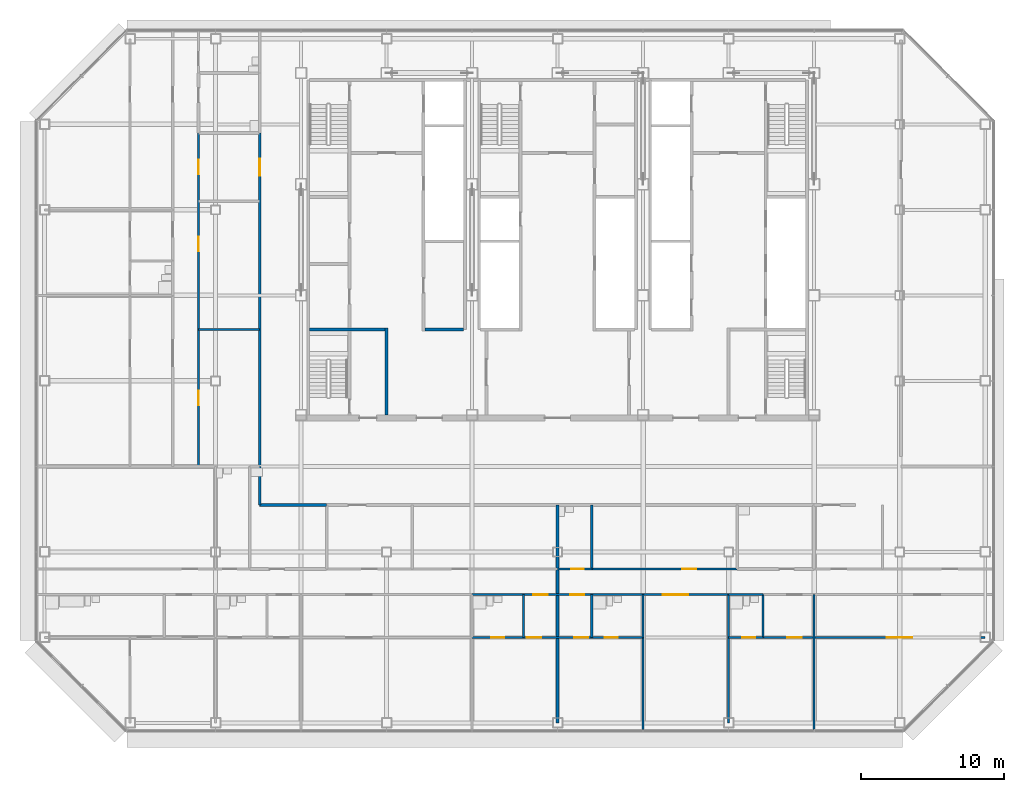
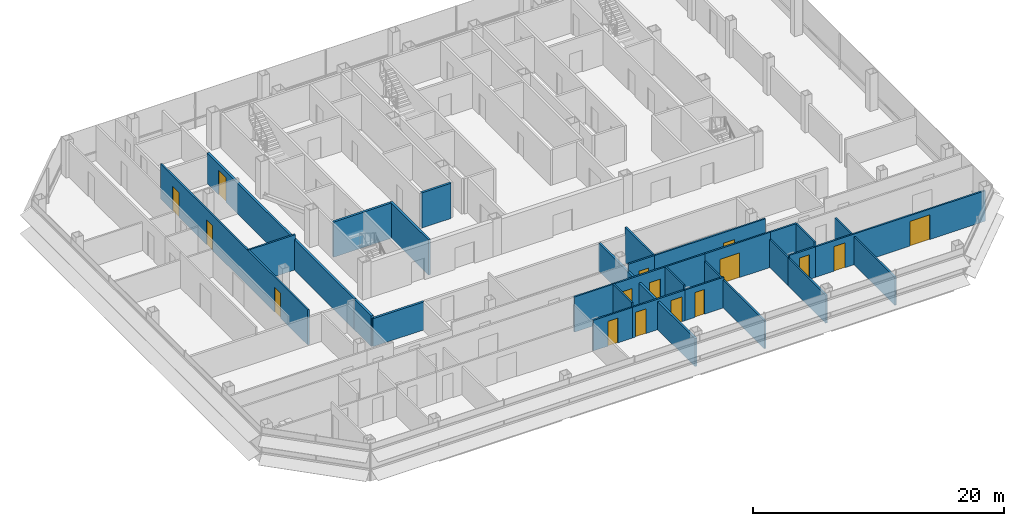
# One storey, part 21 of 27: 30 walls, 16 doors, 16 openings.
"""IFC4 building model written with IfcOpenShell, lengths in metres."""

from ifc_helpers import new_model, si_unit, direction, frame, frame_2d, origin, place, context, subcontext, project, spatial, rectangle, extrude, material, layer, layer_set, type_object, element, fill, save


model = new_model("IFC4")

# Units and contexts
model_context = context("Model", 3, precision=1e-05, world=origin(), true_north=direction((0.0, 1.0)))
body_context = subcontext(model_context, "Body", "Model", "MODEL_VIEW")
ifc_project = project(units=[si_unit("LENGTHUNIT", "METRE"), si_unit("AREAUNIT", "SQUARE_METRE"), si_unit("VOLUMEUNIT", "CUBIC_METRE"), si_unit("PLANEANGLEUNIT", "RADIAN"), si_unit("MASSUNIT", "GRAM", prefix="KILO")], contexts=[model_context])

# Site, building, storey
site_placement = place(None, origin())
site = spatial("IfcSite", under=ifc_project, at=site_placement, CompositionType="ELEMENT")
building_placement = place(site_placement, origin())
building = spatial("IfcBuilding", under=site, at=building_placement, Name="Sorahane Residences", CompositionType="ELEMENT")
storey_placement = place(building_placement, frame((0.0, 0.0, 195.60009765625)))
storey = spatial("IfcBuildingStorey", under=building, at=storey_placement, Name="L45", CompositionType="ELEMENT", Elevation=195.60009765625)

# Wall, opening, door
ifc_material_1 = material(Name="Concrete blockwork C20 wall", Category="masonry")
ifc_layer_1 = layer(ifc_material_1, 0.199951171875)
ifc_layer_set_1 = layer_set([ifc_layer_1], Name="Corridor wall 200 EI 120")
wall_type_1 = type_object("IfcWallType", Name="Corridor wall 200 EI 120", PredefinedType="SOLIDWALL", material=ifc_layer_set_1)
wall_1_placement = place(storey_placement, frame((3.10009765625, 18.0, 0.0), z_axis=(0.0, 0.0, 1.0), x_axis=(0.0, 1.0, 0.0)))
wall_1 = element("IfcWall", 1, at=wall_1_placement, inside=storey, type_object=wall_type_1, Name="L45 corridor wall", PredefinedType="SOLIDWALL", context=body_context, shape_type="SweptSolid", body=[
    extrude(rectangle(XDim=23.39990234375, YDim=0.199951171875, at=frame_2d((11.699951171875, 0.0))), origin(), (0.0, 0.0, 1.0), 2.969970703125),
])
opening_1_placement = place(wall_1_placement, frame((20.39990234375, 0.0, 0.0)))
opening_1 = element("IfcOpeningElement", 2, at=opening_1_placement, cuts=wall_1, Name="Opening L45-46", PredefinedType="OPENING", context=body_context, shape_type="SweptSolid", body=[
    extrude(rectangle(XDim=1.199951171875, YDim=2.39990234375, at=frame_2d((0.60009765625, 1.199951171875))), frame((0.0, 0.10986328125, 0.0), z_axis=(0.0, -1.0, 0.0), x_axis=(1.0, 0.0, 0.0)), (0.0, 0.0, 1.0), 0.219970703125),
])
ifc_material_2 = material(Name="Timber veneered fire door", Category="wood")
door_type_1 = type_object("IfcDoorType", Name="Flat entrance door 1200x2400 FD60", OperationType="NOTDEFINED", PredefinedType="DOOR", material=ifc_material_2)
door_1_placement = place(opening_1_placement, origin())
door_1 = element("IfcDoor", 3, at=door_1_placement, inside=storey, type_object=door_type_1, Name="Flat entrance door L45-46", OperationType="SINGLE_SWING_LEFT", OverallHeight=2.39990234375, OverallWidth=1.199951171875, PredefinedType="DOOR", context=body_context, shape_type="SweptSolid", body=[
    extrude(rectangle(XDim=1.199951171875, YDim=2.39990234375, at=frame_2d((0.60009765625, 1.199951171875))), frame((0.0, 0.02490234375, 0.0), z_axis=(0.0, -1.0, 0.0), x_axis=(1.0, 0.0, 0.0)), (0.0, 0.0, 1.0), 0.050048828125),
])
fill(opening_1, door_1)

# Walls
ifc_material_3 = material(Name="Concrete C30", Category="concrete")
ifc_layer_2 = layer(ifc_material_3, 0.199951171875)
ifc_layer_set_2 = layer_set([ifc_layer_2], Name="Front room wall 200 EI 120")
wall_type_2 = type_object("IfcWallType", Name="Front room wall 200 EI 120", PredefinedType="PARTITIONING", material=ifc_layer_set_2)
wall_2_placement = place(storey_placement, frame((12.0, 21.60009765625, 0.0), z_axis=(0.0, 0.0, 1.0), x_axis=(0.0, 1.0, 0.0)))
element("IfcWall", 4, at=wall_2_placement, inside=storey, type_object=wall_type_2, Name="L45 front room wall", PredefinedType="PARTITIONING", context=body_context, shape_type="SweptSolid", body=[
    extrude(rectangle(XDim=6.099853515625, YDim=0.199951171875, at=frame_2d((3.0498046875, 0.0))), origin(), (0.0, 0.0, 1.0), 3.419921875),
])
ifc_material_4 = material(Name="Concrete blockwork C20 wall", Category="masonry")
ifc_layer_3 = layer(ifc_material_4, 0.199951171875)
ifc_layer_set_3 = layer_set([ifc_layer_3], Name="Kitchen wall 200 EI 180")
wall_type_3 = type_object("IfcWallType", Name="Kitchen wall 200 EI 180", PredefinedType="SOLIDWALL", material=ifc_layer_set_3)
wall_3_placement = place(storey_placement, frame((3.10009765625, 15.300048828125, 0.0), z_axis=(0.0, 0.0, 1.0), x_axis=(0.0, 1.0, 0.0)))
element("IfcWall", 5, at=wall_3_placement, inside=storey, type_object=wall_type_3, Name="L45 kitchen wall", PredefinedType="SOLIDWALL", context=body_context, shape_type="SweptSolid", body=[
    extrude(rectangle(XDim=2.699951171875, YDim=0.199951171875, at=frame_2d((1.35009765625, 0.0))), origin(), (0.0, 0.0, 1.0), 2.969970703125),
])
wall_4_placement = place(storey_placement, frame((3.10009765625, 15.300048828125, 0.0), z_axis=(0.0, 0.0, 1.0), x_axis=(1.0, 0.0, 0.0)))
element("IfcWall", 6, at=wall_4_placement, inside=storey, type_object=wall_type_3, Name="L45 kitchen wall", PredefinedType="SOLIDWALL", context=body_context, shape_type="SweptSolid", body=[
    extrude(rectangle(XDim=4.699951171875, YDim=0.199951171875, at=frame_2d((2.35009765625, 0.0))), origin(), (0.0, 0.0, 1.0), 2.719970703125),
])

# Wall, openings, doors
ifc_material_5 = material(Name="Gypsum board partition on steel studs", Category="steel")
ifc_layer_4 = layer(ifc_material_5, 0.14990234375)
ifc_layer_set_4 = layer_set([ifc_layer_4], Name="Partition 150 EI 90")
wall_type_4 = type_object("IfcWallType", Name="Partition 150 EI 90", PredefinedType="PARTITIONING", material=ifc_layer_set_4)
wall_5_placement = place(storey_placement, frame((-1.199951171875, 18.0, 0.0), z_axis=(0.0, 0.0, 1.0), x_axis=(0.0, 1.0, 0.0)))
wall_5 = element("IfcWall", 7, at=wall_5_placement, inside=storey, type_object=wall_type_4, Name="L45 partition", PredefinedType="PARTITIONING", context=body_context, shape_type="SweptSolid", body=[
    extrude(rectangle(XDim=23.39990234375, YDim=0.14990234375, at=frame_2d((11.699951171875, 0.0))), origin(), (0.0, 0.0, 1.0), 3.419921875),
])
opening_2_placement = place(wall_5_placement, frame((20.5, 0.0, 0.0)))
opening_2 = element("IfcOpeningElement", 8, at=opening_2_placement, cuts=wall_5, Name="Opening L45-32", PredefinedType="OPENING", context=body_context, shape_type="SweptSolid", body=[
    extrude(rectangle(XDim=1.0, YDim=2.39990234375, at=frame_2d((0.5, 1.199951171875))), frame((0.0, 0.0849609375, 0.0), z_axis=(0.0, -1.0, 0.0), x_axis=(1.0, 0.0, 0.0)), (0.0, 0.0, 1.0), 0.169921875),
])
opening_3_placement = place(wall_5_placement, frame((4.300048828125, 0.0, 0.0)))
opening_3 = element("IfcOpeningElement", 9, at=opening_3_placement, cuts=wall_5, Name="Opening L45-33", PredefinedType="OPENING", context=body_context, shape_type="SweptSolid", body=[
    extrude(rectangle(XDim=1.0, YDim=2.39990234375, at=frame_2d((0.5, 1.199951171875))), frame((0.0, 0.0849609375, 0.0), z_axis=(0.0, -1.0, 0.0), x_axis=(1.0, 0.0, 0.0)), (0.0, 0.0, 1.0), 0.169921875),
])
opening_4_placement = place(wall_5_placement, frame((15.10009765625, 0.0, 0.0)))
opening_4 = element("IfcOpeningElement", 10, at=opening_4_placement, cuts=wall_5, Name="Opening L45-34", PredefinedType="OPENING", context=body_context, shape_type="SweptSolid", body=[
    extrude(rectangle(XDim=1.0, YDim=2.39990234375, at=frame_2d((0.5, 1.199951171875))), frame((0.0, 0.0849609375, 0.0), z_axis=(0.0, -1.0, 0.0), x_axis=(1.0, 0.0, 0.0)), (0.0, 0.0, 1.0), 0.169921875),
])
ifc_material_6 = material(Name="Timber veneered fire door", Category="wood")
door_type_2 = type_object("IfcDoorType", Name="Room door 1000x2400 FD30", OperationType="NOTDEFINED", PredefinedType="DOOR", material=ifc_material_6)
door_2_placement = place(opening_2_placement, origin())
door_2 = element("IfcDoor", 11, at=door_2_placement, inside=storey, type_object=door_type_2, Name="Room door L45-32", OperationType="SINGLE_SWING_RIGHT", OverallHeight=2.39990234375, OverallWidth=1.0, PredefinedType="DOOR", context=body_context, shape_type="SweptSolid", body=[
    extrude(rectangle(XDim=1.0, YDim=2.39990234375, at=frame_2d((0.5, 1.199951171875))), frame((0.0, 0.02490234375, 0.0), z_axis=(0.0, -1.0, 0.0), x_axis=(1.0, 0.0, 0.0)), (0.0, 0.0, 1.0), 0.050048828125),
])
fill(opening_2, door_2)
door_3_placement = place(opening_3_placement, frame((1.0, 0.0, 0.0), z_axis=(0.0, 0.0, 1.0), x_axis=(-1.0, 0.0, 0.0)))
door_3 = element("IfcDoor", 12, at=door_3_placement, inside=storey, type_object=door_type_2, Name="Room door L45-33", OperationType="SINGLE_SWING_RIGHT", OverallHeight=2.39990234375, OverallWidth=1.0, PredefinedType="DOOR", context=body_context, shape_type="SweptSolid", body=[
    extrude(rectangle(XDim=1.0, YDim=2.39990234375, at=frame_2d((0.5, 1.199951171875))), frame((0.0, 0.02490234375, 0.0), z_axis=(0.0, -1.0, 0.0), x_axis=(1.0, 0.0, 0.0)), (0.0, 0.0, 1.0), 0.050048828125),
])
fill(opening_3, door_3)
door_4_placement = place(opening_4_placement, frame((1.0, 0.0, 0.0), z_axis=(0.0, 0.0, 1.0), x_axis=(-1.0, 0.0, 0.0)))
door_4 = element("IfcDoor", 13, at=door_4_placement, inside=storey, type_object=door_type_2, Name="Room door L45-34", OperationType="SINGLE_SWING_RIGHT", OverallHeight=2.39990234375, OverallWidth=1.0, PredefinedType="DOOR", context=body_context, shape_type="SweptSolid", body=[
    extrude(rectangle(XDim=1.0, YDim=2.39990234375, at=frame_2d((0.5, 1.199951171875))), frame((0.0, 0.02490234375, 0.0), z_axis=(0.0, -1.0, 0.0), x_axis=(1.0, 0.0, 0.0)), (0.0, 0.0, 1.0), 0.050048828125),
])
fill(opening_4, door_4)

# Walls
wall_6_placement = place(storey_placement, frame((30.0, -0.60009765625, 0.0), z_axis=(0.0, 0.0, 1.0), x_axis=(0.0, 1.0, 0.0)))
element("IfcWall", 14, at=wall_6_placement, inside=storey, type_object=wall_type_4, Name="L45 partition", PredefinedType="PARTITIONING", context=body_context, shape_type="SweptSolid", body=[
    extrude(rectangle(XDim=6.60009765625, YDim=0.14990234375, at=frame_2d((3.300048828125, 0.0))), origin(), (0.0, 0.0, 1.0), 2.719970703125),
])
wall_7_placement = place(storey_placement, frame((36.0, 0.0, 0.0), z_axis=(0.0, 0.0, 1.0), x_axis=(0.0, 1.0, 0.0)))
element("IfcWall", 15, at=wall_7_placement, inside=storey, type_object=wall_type_4, Name="L45 partition", PredefinedType="PARTITIONING", context=body_context, shape_type="SweptSolid", body=[
    extrude(rectangle(XDim=6.0, YDim=0.14990234375, at=frame_2d((3.0, 0.0))), origin(), (0.0, 0.0, 1.0), 2.719970703125),
])
wall_8_placement = place(storey_placement, frame((42.0, -0.60009765625, 0.0), z_axis=(0.0, 0.0, 1.0), x_axis=(0.0, 1.0, 0.0)))
element("IfcWall", 16, at=wall_8_placement, inside=storey, type_object=wall_type_4, Name="L45 partition", PredefinedType="PARTITIONING", context=body_context, shape_type="SweptSolid", body=[
    extrude(rectangle(XDim=9.60009765625, YDim=0.14990234375, at=frame_2d((4.800048828125, 0.0))), origin(), (0.0, 0.0, 1.0), 2.719970703125),
])

# Wall, opening, door
wall_9_placement = place(storey_placement, frame((26.39990234375, 10.800048828125, 0.0), z_axis=(0.0, 0.0, 1.0), x_axis=(1.0, 0.0, 0.0)))
wall_9 = element("IfcWall", 17, at=wall_9_placement, inside=storey, type_object=wall_type_4, Name="L45 partition", PredefinedType="PARTITIONING", context=body_context, shape_type="SweptSolid", body=[
    extrude(rectangle(XDim=10.2001953125, YDim=0.14990234375, at=frame_2d((5.10009765625, 0.0))), origin(), (0.0, 0.0, 1.0), 3.419921875),
])
opening_5_placement = place(wall_9_placement, frame((6.340087890625, 0.0, 0.0)))
opening_5 = element("IfcOpeningElement", 18, at=opening_5_placement, cuts=wall_9, Name="Opening L45-20", PredefinedType="OPENING", context=body_context, shape_type="SweptSolid", body=[
    extrude(rectangle(XDim=1.0, YDim=2.39990234375, at=frame_2d((0.5, 1.199951171875))), frame((0.0, 0.0849609375, 0.0), z_axis=(0.0, -1.0, 0.0), x_axis=(1.0, 0.0, 0.0)), (0.0, 0.0, 1.0), 0.169921875),
])
door_5_placement = place(opening_5_placement, origin())
door_5 = element("IfcDoor", 19, at=door_5_placement, inside=storey, type_object=door_type_2, Name="Room door L45-20", OperationType="SINGLE_SWING_RIGHT", OverallHeight=2.39990234375, OverallWidth=1.0, PredefinedType="DOOR", context=body_context, shape_type="SweptSolid", body=[
    extrude(rectangle(XDim=1.0, YDim=2.39990234375, at=frame_2d((0.5, 1.199951171875))), frame((0.0, 0.02490234375, 0.0), z_axis=(0.0, -1.0, 0.0), x_axis=(1.0, 0.0, 0.0)), (0.0, 0.0, 1.0), 0.050048828125),
])
fill(opening_5, door_5)

# Wall
wall_10_placement = place(storey_placement, frame((-1.199951171875, 27.60009765625, 0.0), z_axis=(0.0, 0.0, 1.0), x_axis=(1.0, 0.0, 0.0)))
element("IfcWall", 20, at=wall_10_placement, inside=storey, type_object=wall_type_4, Name="L45 partition", PredefinedType="PARTITIONING", context=body_context, shape_type="SweptSolid", body=[
    extrude(rectangle(XDim=4.300048828125, YDim=0.14990234375, at=frame_2d((2.14990234375, 0.0))), origin(), (0.0, 0.0, 1.0), 3.419921875),
])

# Wall, openings, doors
wall_11_placement = place(storey_placement, frame((21.60009765625, 6.0, 0.0), z_axis=(0.0, 0.0, 1.0), x_axis=(1.0, 0.0, 0.0)))
wall_11 = element("IfcWall", 21, at=wall_11_placement, inside=storey, type_object=wall_type_4, Name="L45 partition", PredefinedType="PARTITIONING", context=body_context, shape_type="SweptSolid", body=[
    extrude(rectangle(XDim=4.7998046875, YDim=0.14990234375, at=frame_2d((2.39990234375, 0.0))), origin(), (0.0, 0.0, 1.0), 2.969970703125),
])
opening_6_placement = place(wall_11_placement, frame((0.25, 0.0, 0.0)))
opening_6 = element("IfcOpeningElement", 22, at=opening_6_placement, cuts=wall_11, Name="Opening L45-16", PredefinedType="OPENING", context=body_context, shape_type="SweptSolid", body=[
    extrude(rectangle(XDim=1.0, YDim=2.39990234375, at=frame_2d((0.5, 1.199951171875))), frame((0.0, 0.0849609375, 0.0), z_axis=(0.0, -1.0, 0.0), x_axis=(1.0, 0.0, 0.0)), (0.0, 0.0, 1.0), 0.169921875),
])
opening_7_placement = place(wall_11_placement, frame((3.550048828125, 0.0, 0.0)))
opening_7 = element("IfcOpeningElement", 23, at=opening_7_placement, cuts=wall_11, Name="Opening L45-27", PredefinedType="OPENING", context=body_context, shape_type="SweptSolid", body=[
    extrude(rectangle(XDim=1.0, YDim=2.39990234375, at=frame_2d((0.5, 1.199951171875))), frame((0.0, 0.0849609375, 0.0), z_axis=(0.0, -1.0, 0.0), x_axis=(1.0, 0.0, 0.0)), (0.0, 0.0, 1.0), 0.169921875),
])
door_6_placement = place(opening_6_placement, frame((1.0, 0.0, 0.0), z_axis=(0.0, 0.0, 1.0), x_axis=(-1.0, 0.0, 0.0)))
door_6 = element("IfcDoor", 24, at=door_6_placement, inside=storey, type_object=door_type_2, Name="Room door L45-16", OperationType="SINGLE_SWING_LEFT", OverallHeight=2.39990234375, OverallWidth=1.0, PredefinedType="DOOR", context=body_context, shape_type="SweptSolid", body=[
    extrude(rectangle(XDim=1.0, YDim=2.39990234375, at=frame_2d((0.5, 1.199951171875))), frame((0.0, 0.02490234375, 0.0), z_axis=(0.0, -1.0, 0.0), x_axis=(1.0, 0.0, 0.0)), (0.0, 0.0, 1.0), 0.050048828125),
])
fill(opening_6, door_6)
door_7_placement = place(opening_7_placement, frame((1.0, 0.0, 0.0), z_axis=(0.0, 0.0, 1.0), x_axis=(-1.0, 0.0, 0.0)))
door_7 = element("IfcDoor", 25, at=door_7_placement, inside=storey, type_object=door_type_2, Name="Room door L45-27", OperationType="SINGLE_SWING_RIGHT", OverallHeight=2.39990234375, OverallWidth=1.0, PredefinedType="DOOR", context=body_context, shape_type="SweptSolid", body=[
    extrude(rectangle(XDim=1.0, YDim=2.39990234375, at=frame_2d((0.5, 1.199951171875))), frame((0.0, 0.02490234375, 0.0), z_axis=(0.0, -1.0, 0.0), x_axis=(1.0, 0.0, 0.0)), (0.0, 0.0, 1.0), 0.050048828125),
])
fill(opening_7, door_7)

wall_12_placement = place(storey_placement, frame((38.39990234375, 6.0, 0.0), z_axis=(0.0, 0.0, 1.0), x_axis=(1.0, 0.0, 0.0)))
wall_12 = element("IfcWall", 26, at=wall_12_placement, inside=storey, type_object=wall_type_4, Name="L45 partition", PredefinedType="PARTITIONING", context=body_context, shape_type="SweptSolid", body=[
    extrude(rectangle(XDim=15.60009765625, YDim=0.14990234375, at=frame_2d((7.800048828125, 0.0))), origin(), (0.0, 0.0, 1.0), 2.969970703125),
])
opening_8_placement = place(wall_12_placement, frame((1.719970703125, 0.0, 0.0)))
opening_8 = element("IfcOpeningElement", 27, at=opening_8_placement, cuts=wall_12, Name="Opening L45-29", PredefinedType="OPENING", context=body_context, shape_type="SweptSolid", body=[
    extrude(rectangle(XDim=1.0, YDim=2.39990234375, at=frame_2d((0.5, 1.199951171875))), frame((0.0, 0.0849609375, 0.0), z_axis=(0.0, -1.0, 0.0), x_axis=(1.0, 0.0, 0.0)), (0.0, 0.0, 1.0), 0.169921875),
])
opening_9_placement = place(wall_12_placement, frame((8.699951171875, 0.0, 0.0)))
opening_9 = element("IfcOpeningElement", 28, at=opening_9_placement, cuts=wall_12, Name="Opening L45-31", PredefinedType="OPENING", context=body_context, shape_type="SweptSolid", body=[
    extrude(rectangle(XDim=1.800048828125, YDim=2.39990234375, at=frame_2d((0.89990234375, 1.199951171875))), frame((0.0, 0.0849609375, 0.0), z_axis=(0.0, -1.0, 0.0), x_axis=(1.0, 0.0, 0.0)), (0.0, 0.0, 1.0), 0.169921875),
])
ifc_material_7 = material(Name="Timber veneered fire door", Category="wood")
door_type_3 = type_object("IfcDoorType", Name="Double door 1800x2400 FD30", OperationType="NOTDEFINED", PredefinedType="DOOR", material=ifc_material_7)
door_8_placement = place(opening_9_placement, frame((1.800048828125, 0.0, 0.0), z_axis=(0.0, 0.0, 1.0), x_axis=(-1.0, 0.0, 0.0)))
door_8 = element("IfcDoor", 29, at=door_8_placement, inside=storey, type_object=door_type_3, Name="Double door L45-31", OperationType="SINGLE_SWING_LEFT", OverallHeight=2.39990234375, OverallWidth=1.800048828125, PredefinedType="DOOR", context=body_context, shape_type="SweptSolid", body=[
    extrude(rectangle(XDim=1.800048828125, YDim=2.39990234375, at=frame_2d((0.89990234375, 1.199951171875))), frame((0.0, 0.02490234375, 0.0), z_axis=(0.0, -1.0, 0.0), x_axis=(1.0, 0.0, 0.0)), (0.0, 0.0, 1.0), 0.050048828125),
])
fill(opening_9, door_8)
door_9_placement = place(opening_8_placement, frame((1.0, 0.0, 0.0), z_axis=(0.0, 0.0, 1.0), x_axis=(-1.0, 0.0, 0.0)))
door_9 = element("IfcDoor", 30, at=door_9_placement, inside=storey, type_object=door_type_2, Name="Room door L45-29", OperationType="SINGLE_SWING_LEFT", OverallHeight=2.39990234375, OverallWidth=1.0, PredefinedType="DOOR", context=body_context, shape_type="SweptSolid", body=[
    extrude(rectangle(XDim=1.0, YDim=2.39990234375, at=frame_2d((0.5, 1.199951171875))), frame((0.0, 0.02490234375, 0.0), z_axis=(0.0, -1.0, 0.0), x_axis=(1.0, 0.0, 0.0)), (0.0, 0.0, 1.0), 0.050048828125),
])
fill(opening_8, door_9)

wall_13_placement = place(storey_placement, frame((21.60009765625, 9.0, 0.0), z_axis=(0.0, 0.0, 1.0), x_axis=(1.0, 0.0, 0.0)))
wall_13 = element("IfcWall", 31, at=wall_13_placement, inside=storey, type_object=wall_type_4, Name="L45 partition", PredefinedType="PARTITIONING", context=body_context, shape_type="SweptSolid", body=[
    extrude(rectangle(XDim=4.7998046875, YDim=0.14990234375, at=frame_2d((2.39990234375, 0.0))), origin(), (0.0, 0.0, 1.0), 3.419921875),
])
opening_10_placement = place(wall_13_placement, frame((0.699951171875, 0.0, 0.0)))
opening_10 = element("IfcOpeningElement", 32, at=opening_10_placement, cuts=wall_13, Name="Opening L45-09", PredefinedType="OPENING", context=body_context, shape_type="SweptSolid", body=[
    extrude(rectangle(XDim=1.0, YDim=2.39990234375, at=frame_2d((0.5, 1.199951171875))), frame((0.0, 0.0849609375, 0.0), z_axis=(0.0, -1.0, 0.0), x_axis=(1.0, 0.0, 0.0)), (0.0, 0.0, 1.0), 0.169921875),
])
opening_11_placement = place(wall_13_placement, frame((3.280029296875, 0.0, 0.0)))
opening_11 = element("IfcOpeningElement", 33, at=opening_11_placement, cuts=wall_13, Name="Opening L45-23", PredefinedType="OPENING", context=body_context, shape_type="SweptSolid", body=[
    extrude(rectangle(XDim=1.0, YDim=2.39990234375, at=frame_2d((0.5, 1.199951171875))), frame((0.0, 0.0849609375, 0.0), z_axis=(0.0, -1.0, 0.0), x_axis=(1.0, 0.0, 0.0)), (0.0, 0.0, 1.0), 0.169921875),
])
door_10_placement = place(opening_10_placement, frame((1.0, 0.0, 0.0), z_axis=(0.0, 0.0, 1.0), x_axis=(-1.0, 0.0, 0.0)))
door_10 = element("IfcDoor", 34, at=door_10_placement, inside=storey, type_object=door_type_2, Name="Room door L45-09", OperationType="SINGLE_SWING_RIGHT", OverallHeight=2.39990234375, OverallWidth=1.0, PredefinedType="DOOR", context=body_context, shape_type="SweptSolid", body=[
    extrude(rectangle(XDim=1.0, YDim=2.39990234375, at=frame_2d((0.5, 1.199951171875))), frame((0.0, 0.02490234375, 0.0), z_axis=(0.0, -1.0, 0.0), x_axis=(1.0, 0.0, 0.0)), (0.0, 0.0, 1.0), 0.050048828125),
])
fill(opening_10, door_10)
door_11_placement = place(opening_11_placement, frame((1.0, 0.0, 0.0), z_axis=(0.0, 0.0, 1.0), x_axis=(-1.0, 0.0, 0.0)))
door_11 = element("IfcDoor", 35, at=door_11_placement, inside=storey, type_object=door_type_2, Name="Room door L45-23", OperationType="SINGLE_SWING_LEFT", OverallHeight=2.39990234375, OverallWidth=1.0, PredefinedType="DOOR", context=body_context, shape_type="SweptSolid", body=[
    extrude(rectangle(XDim=1.0, YDim=2.39990234375, at=frame_2d((0.5, 1.199951171875))), frame((0.0, 0.02490234375, 0.0), z_axis=(0.0, -1.0, 0.0), x_axis=(1.0, 0.0, 0.0)), (0.0, 0.0, 1.0), 0.050048828125),
])
fill(opening_11, door_11)

# Wall, opening, door
wall_14_placement = place(storey_placement, frame((30.0, 9.0, 0.0), z_axis=(0.0, 0.0, 1.0), x_axis=(1.0, 0.0, 0.0)))
wall_14 = element("IfcWall", 36, at=wall_14_placement, inside=storey, type_object=wall_type_4, Name="L45 partition", PredefinedType="PARTITIONING", context=body_context, shape_type="SweptSolid", body=[
    extrude(rectangle(XDim=6.0, YDim=0.14990234375, at=frame_2d((3.0, 0.0))), origin(), (0.0, 0.0, 1.0), 3.419921875),
])
opening_12_placement = place(wall_14_placement, frame((1.360107421875, 0.0, 0.0)))
opening_12 = element("IfcOpeningElement", 37, at=opening_12_placement, cuts=wall_14, Name="Opening L45-24", PredefinedType="OPENING", context=body_context, shape_type="SweptSolid", body=[
    extrude(rectangle(XDim=1.800048828125, YDim=2.39990234375, at=frame_2d((0.89990234375, 1.199951171875))), frame((0.0, 0.0849609375, 0.0), z_axis=(0.0, -1.0, 0.0), x_axis=(1.0, 0.0, 0.0)), (0.0, 0.0, 1.0), 0.169921875),
])
door_12_placement = place(opening_12_placement, frame((1.800048828125, 0.0, 0.0), z_axis=(0.0, 0.0, 1.0), x_axis=(-1.0, 0.0, 0.0)))
door_12 = element("IfcDoor", 38, at=door_12_placement, inside=storey, type_object=door_type_3, Name="Double door L45-24", OperationType="SINGLE_SWING_LEFT", OverallHeight=2.39990234375, OverallWidth=1.800048828125, PredefinedType="DOOR", context=body_context, shape_type="SweptSolid", body=[
    extrude(rectangle(XDim=1.800048828125, YDim=2.39990234375, at=frame_2d((0.89990234375, 1.199951171875))), frame((0.0, 0.02490234375, 0.0), z_axis=(0.0, -1.0, 0.0), x_axis=(1.0, 0.0, 0.0)), (0.0, 0.0, 1.0), 0.050048828125),
])
fill(opening_12, door_12)

# Walls
ifc_material_8 = material(Name="Concrete blockwork C20 wall", Category="masonry")
ifc_layer_5 = layer(ifc_material_8, 0.199951171875)
ifc_layer_set_5 = layer_set([ifc_layer_5], Name="Party wall 200 EI 120")
wall_type_5 = type_object("IfcWallType", Name="Party wall 200 EI 120", PredefinedType="SOLIDWALL", material=ifc_layer_set_5)
wall_15_placement = place(storey_placement, frame((24.0, 0.0, 0.0), z_axis=(0.0, 0.0, 1.0), x_axis=(0.0, 1.0, 0.0)))
element("IfcWall", 39, at=wall_15_placement, inside=storey, type_object=wall_type_5, Name="L45 party wall", PredefinedType="SOLIDWALL", context=body_context, shape_type="SweptSolid", body=[
    extrude(rectangle(XDim=15.300048828125, YDim=0.199951171875, at=frame_2d((7.64990234375, 0.0))), origin(), (0.0, 0.0, 1.0), 2.719970703125),
])
ifc_material_9 = material(Name="Concrete C30", Category="concrete")
ifc_layer_6 = layer(ifc_material_9, 0.199951171875)
ifc_layer_set_6 = layer_set([ifc_layer_6], Name="Service room partition 200 EI 60")
wall_type_6 = type_object("IfcWallType", Name="Service room partition 200 EI 60", PredefinedType="PARTITIONING", material=ifc_layer_set_6)
wall_16_placement = place(storey_placement, frame((14.699951171875, 27.60009765625, 0.0), z_axis=(0.0, 0.0, 1.0), x_axis=(1.0, 0.0, 0.0)))
element("IfcWall", 40, at=wall_16_placement, inside=storey, type_object=wall_type_6, Name="L45 service room wall", PredefinedType="PARTITIONING", context=body_context, shape_type="SweptSolid", body=[
    extrude(rectangle(XDim=2.699951171875, YDim=0.199951171875, at=frame_2d((1.35009765625, 0.0))), origin(), (0.0, 0.0, 1.0), 3.419921875),
])
ifc_material_10 = material(Name="Concrete C30", Category="concrete")
ifc_layer_7 = layer(ifc_material_10, 0.199951171875)
ifc_layer_set_7 = layer_set([ifc_layer_7], Name="Stair enclosure wall 200 EI 120")
wall_type_7 = type_object("IfcWallType", Name="Stair enclosure wall 200 EI 120", PredefinedType="SOLIDWALL", material=ifc_layer_set_7)
wall_17_placement = place(storey_placement, frame((6.60009765625, 27.60009765625, 0.0), z_axis=(0.0, 0.0, 1.0), x_axis=(1.0, 0.0, 0.0)))
element("IfcWall", 41, at=wall_17_placement, inside=storey, type_object=wall_type_7, Name="L45 stair enclosure wall", PredefinedType="SOLIDWALL", context=body_context, shape_type="SweptSolid", body=[
    extrude(rectangle(XDim=5.2998046875, YDim=0.199951171875, at=frame_2d((2.64990234375, 0.0))), origin(), (0.0, 0.0, 1.0), 3.419921875),
])
ifc_material_11 = material(Name="Gypsum board partition on steel studs", Category="steel")
ifc_layer_8 = layer(ifc_material_11, 0.14990234375)
ifc_layer_set_8 = layer_set([ifc_layer_8], Name="Wet wall 150 EI 90")
wall_type_8 = type_object("IfcWallType", Name="Wet wall 150 EI 90", PredefinedType="PARTITIONING", material=ifc_layer_set_8)
for number, where, z_axis, x_axis, name in (
    (42, (21.60009765625, 6.0, 0.0), (0.0, 0.0, 1.0), (0.0, 1.0, 0.0), "L45 wet wall"),
    (43, (26.39990234375, 6.0, 0.0), (0.0, 0.0, 1.0), (0.0, 1.0, 0.0), "L45 wet wall"),
):
    element("IfcWall", number, at=place(storey_placement, frame(where, z_axis=z_axis, x_axis=x_axis)), inside=storey, type_object=wall_type_8, Name=name, PredefinedType="PARTITIONING", context=body_context, shape_type="SweptSolid", body=[
        extrude(rectangle(XDim=3.0, YDim=0.14990234375, at=frame_2d((1.5, 0.0))), origin(), (0.0, 0.0, 1.0), 3.419921875),
    ])
wall_18_placement = place(storey_placement, frame((26.39990234375, 10.800048828125, 0.0), z_axis=(0.0, 0.0, 1.0), x_axis=(0.0, 1.0, 0.0)))
element("IfcWall", 44, at=wall_18_placement, inside=storey, type_object=wall_type_8, Name="L45 wet wall", PredefinedType="PARTITIONING", context=body_context, shape_type="SweptSolid", body=[
    extrude(rectangle(XDim=4.5, YDim=0.14990234375, at=frame_2d((2.25, 0.0))), origin(), (0.0, 0.0, 1.0), 3.419921875),
])
for number, where, z_axis, x_axis, name in (
    (45, (30.0, 6.0, 0.0), (0.0, 0.0, 1.0), (0.0, 1.0, 0.0), "L45 wet wall"),
    (46, (36.0, 6.0, 0.0), (0.0, 0.0, 1.0), (0.0, 1.0, 0.0), "L45 wet wall"),
):
    element("IfcWall", number, at=place(storey_placement, frame(where, z_axis=z_axis, x_axis=x_axis)), inside=storey, type_object=wall_type_8, Name=name, PredefinedType="PARTITIONING", context=body_context, shape_type="SweptSolid", body=[
        extrude(rectangle(XDim=3.0, YDim=0.14990234375, at=frame_2d((1.5, 0.0))), origin(), (0.0, 0.0, 1.0), 2.719970703125),
    ])
wall_19_placement = place(storey_placement, frame((38.39990234375, 6.0, 0.0), z_axis=(0.0, 0.0, 1.0), x_axis=(0.0, 1.0, 0.0)))
element("IfcWall", 47, at=wall_19_placement, inside=storey, type_object=wall_type_8, Name="L45 wet wall", PredefinedType="PARTITIONING", context=body_context, shape_type="SweptSolid", body=[
    extrude(rectangle(XDim=3.0, YDim=0.14990234375, at=frame_2d((1.5, 0.0))), origin(), (0.0, 0.0, 1.0), 3.419921875),
])

# Wall, opening, door
wall_20_placement = place(storey_placement, frame((24.0, 10.800048828125, 0.0), z_axis=(0.0, 0.0, 1.0), x_axis=(1.0, 0.0, 0.0)))
wall_20 = element("IfcWall", 48, at=wall_20_placement, inside=storey, type_object=wall_type_8, Name="L45 wet wall", PredefinedType="PARTITIONING", context=body_context, shape_type="SweptSolid", body=[
    extrude(rectangle(XDim=2.39990234375, YDim=0.14990234375, at=frame_2d((1.199951171875, 0.0))), origin(), (0.0, 0.0, 1.0), 3.419921875),
])
opening_13_placement = place(wall_20_placement, frame((0.949951171875, 0.0, 0.0)))
opening_13 = element("IfcOpeningElement", 49, at=opening_13_placement, cuts=wall_20, Name="Opening L45-19", PredefinedType="OPENING", context=body_context, shape_type="SweptSolid", body=[
    extrude(rectangle(XDim=0.89990234375, YDim=2.39990234375, at=frame_2d((0.449951171875, 1.199951171875))), frame((0.0, 0.0849609375, 0.0), z_axis=(0.0, -1.0, 0.0), x_axis=(1.0, 0.0, 0.0)), (0.0, 0.0, 1.0), 0.169921875),
])
ifc_material_12 = material(Name="Timber veneered fire door", Category="wood")
door_type_4 = type_object("IfcDoorType", Name="Bathroom door 900x2400 FD30", OperationType="NOTDEFINED", PredefinedType="DOOR", material=ifc_material_12)
door_13_placement = place(opening_13_placement, frame((0.89990234375, 0.0, 0.0), z_axis=(0.0, 0.0, 1.0), x_axis=(-1.0, 0.0, 0.0)))
door_13 = element("IfcDoor", 50, at=door_13_placement, inside=storey, type_object=door_type_4, Name="Bathroom door L45-19", OperationType="SINGLE_SWING_RIGHT", OverallHeight=2.39990234375, OverallWidth=0.89990234375, PredefinedType="DOOR", context=body_context, shape_type="SweptSolid", body=[
    extrude(rectangle(XDim=0.89990234375, YDim=2.39990234375, at=frame_2d((0.449951171875, 1.199951171875))), frame((0.0, 0.02490234375, 0.0), z_axis=(0.0, -1.0, 0.0), x_axis=(1.0, 0.0, 0.0)), (0.0, 0.0, 1.0), 0.050048828125),
])
fill(opening_13, door_13)

wall_21_placement = place(storey_placement, frame((18.0, 6.0, 0.0), z_axis=(0.0, 0.0, 1.0), x_axis=(1.0, 0.0, 0.0)))
wall_21 = element("IfcWall", 51, at=wall_21_placement, inside=storey, type_object=wall_type_8, Name="L45 wet wall", PredefinedType="PARTITIONING", context=body_context, shape_type="SweptSolid", body=[
    extrude(rectangle(XDim=3.60009765625, YDim=0.14990234375, at=frame_2d((1.800048828125, 0.0))), origin(), (0.0, 0.0, 1.0), 2.969970703125),
])
opening_14_placement = place(wall_21_placement, frame((1.35009765625, 0.0, 0.0)))
opening_14 = element("IfcOpeningElement", 52, at=opening_14_placement, cuts=wall_21, Name="Opening L45-17", PredefinedType="OPENING", context=body_context, shape_type="SweptSolid", body=[
    extrude(rectangle(XDim=0.89990234375, YDim=2.39990234375, at=frame_2d((0.449951171875, 1.199951171875))), frame((0.0, 0.0849609375, 0.0), z_axis=(0.0, -1.0, 0.0), x_axis=(1.0, 0.0, 0.0)), (0.0, 0.0, 1.0), 0.169921875),
])
door_14_placement = place(opening_14_placement, frame((0.89990234375, 0.0, 0.0), z_axis=(0.0, 0.0, 1.0), x_axis=(-1.0, 0.0, 0.0)))
door_14 = element("IfcDoor", 53, at=door_14_placement, inside=storey, type_object=door_type_4, Name="Bathroom door L45-17", OperationType="SINGLE_SWING_LEFT", OverallHeight=2.39990234375, OverallWidth=0.89990234375, PredefinedType="DOOR", context=body_context, shape_type="SweptSolid", body=[
    extrude(rectangle(XDim=0.89990234375, YDim=2.39990234375, at=frame_2d((0.449951171875, 1.199951171875))), frame((0.0, 0.02490234375, 0.0), z_axis=(0.0, -1.0, 0.0), x_axis=(1.0, 0.0, 0.0)), (0.0, 0.0, 1.0), 0.050048828125),
])
fill(opening_14, door_14)

wall_22_placement = place(storey_placement, frame((26.39990234375, 6.0, 0.0), z_axis=(0.0, 0.0, 1.0), x_axis=(1.0, 0.0, 0.0)))
wall_22 = element("IfcWall", 54, at=wall_22_placement, inside=storey, type_object=wall_type_8, Name="L45 wet wall", PredefinedType="PARTITIONING", context=body_context, shape_type="SweptSolid", body=[
    extrude(rectangle(XDim=3.60009765625, YDim=0.14990234375, at=frame_2d((1.800048828125, 0.0))), origin(), (0.0, 0.0, 1.0), 2.969970703125),
])
opening_15_placement = place(wall_22_placement, frame((0.909912109375, 0.0, 0.0)))
opening_15 = element("IfcOpeningElement", 55, at=opening_15_placement, cuts=wall_22, Name="Opening L45-28", PredefinedType="OPENING", context=body_context, shape_type="SweptSolid", body=[
    extrude(rectangle(XDim=0.89990234375, YDim=2.39990234375, at=frame_2d((0.449951171875, 1.199951171875))), frame((0.0, 0.0849609375, 0.0), z_axis=(0.0, -1.0, 0.0), x_axis=(1.0, 0.0, 0.0)), (0.0, 0.0, 1.0), 0.169921875),
])
door_15_placement = place(opening_15_placement, frame((0.89990234375, 0.0, 0.0), z_axis=(0.0, 0.0, 1.0), x_axis=(-1.0, 0.0, 0.0)))
door_15 = element("IfcDoor", 56, at=door_15_placement, inside=storey, type_object=door_type_4, Name="Bathroom door L45-28", OperationType="SINGLE_SWING_LEFT", OverallHeight=2.39990234375, OverallWidth=0.89990234375, PredefinedType="DOOR", context=body_context, shape_type="SweptSolid", body=[
    extrude(rectangle(XDim=0.89990234375, YDim=2.39990234375, at=frame_2d((0.449951171875, 1.199951171875))), frame((0.0, 0.02490234375, 0.0), z_axis=(0.0, -1.0, 0.0), x_axis=(1.0, 0.0, 0.0)), (0.0, 0.0, 1.0), 0.050048828125),
])
fill(opening_15, door_15)

wall_23_placement = place(storey_placement, frame((36.0, 6.0, 0.0), z_axis=(0.0, 0.0, 1.0), x_axis=(1.0, 0.0, 0.0)))
wall_23 = element("IfcWall", 57, at=wall_23_placement, inside=storey, type_object=wall_type_8, Name="L45 wet wall", PredefinedType="PARTITIONING", context=body_context, shape_type="SweptSolid", body=[
    extrude(rectangle(XDim=2.39990234375, YDim=0.14990234375, at=frame_2d((1.199951171875, 0.0))), origin(), (0.0, 0.0, 1.0), 2.969970703125),
])
opening_16_placement = place(wall_23_placement, frame((0.949951171875, 0.0, 0.0)))
opening_16 = element("IfcOpeningElement", 58, at=opening_16_placement, cuts=wall_23, Name="Opening L45-30", PredefinedType="OPENING", context=body_context, shape_type="SweptSolid", body=[
    extrude(rectangle(XDim=0.89990234375, YDim=2.39990234375, at=frame_2d((0.449951171875, 1.199951171875))), frame((0.0, 0.0849609375, 0.0), z_axis=(0.0, -1.0, 0.0), x_axis=(1.0, 0.0, 0.0)), (0.0, 0.0, 1.0), 0.169921875),
])
door_16_placement = place(opening_16_placement, frame((0.89990234375, 0.0, 0.0), z_axis=(0.0, 0.0, 1.0), x_axis=(-1.0, 0.0, 0.0)))
door_16 = element("IfcDoor", 59, at=door_16_placement, inside=storey, type_object=door_type_4, Name="Bathroom door L45-30", OperationType="SINGLE_SWING_RIGHT", OverallHeight=2.39990234375, OverallWidth=0.89990234375, PredefinedType="DOOR", context=body_context, shape_type="SweptSolid", body=[
    extrude(rectangle(XDim=0.89990234375, YDim=2.39990234375, at=frame_2d((0.449951171875, 1.199951171875))), frame((0.0, 0.02490234375, 0.0), z_axis=(0.0, -1.0, 0.0), x_axis=(1.0, 0.0, 0.0)), (0.0, 0.0, 1.0), 0.050048828125),
])
fill(opening_16, door_16)

# Walls
for number, where, z_axis, x_axis, name in (
    (60, (18.0, 9.0, 0.0), (0.0, 0.0, 1.0), (1.0, 0.0, 0.0), "L45 wet wall"),
    (61, (26.39990234375, 9.0, 0.0), (0.0, 0.0, 1.0), (1.0, 0.0, 0.0), "L45 wet wall"),
):
    element("IfcWall", number, at=place(storey_placement, frame(where, z_axis=z_axis, x_axis=x_axis)), inside=storey, type_object=wall_type_8, Name=name, PredefinedType="PARTITIONING", context=body_context, shape_type="SweptSolid", body=[
        extrude(rectangle(XDim=3.60009765625, YDim=0.14990234375, at=frame_2d((1.800048828125, 0.0))), origin(), (0.0, 0.0, 1.0), 3.419921875),
    ])
wall_24_placement = place(storey_placement, frame((36.0, 9.0, 0.0), z_axis=(0.0, 0.0, 1.0), x_axis=(1.0, 0.0, 0.0)))
element("IfcWall", 62, at=wall_24_placement, inside=storey, type_object=wall_type_8, Name="L45 wet wall", PredefinedType="PARTITIONING", context=body_context, shape_type="SweptSolid", body=[
    extrude(rectangle(XDim=2.39990234375, YDim=0.14990234375, at=frame_2d((1.199951171875, 0.0))), origin(), (0.0, 0.0, 1.0), 3.419921875),
])

save(model, "model.ifc")
